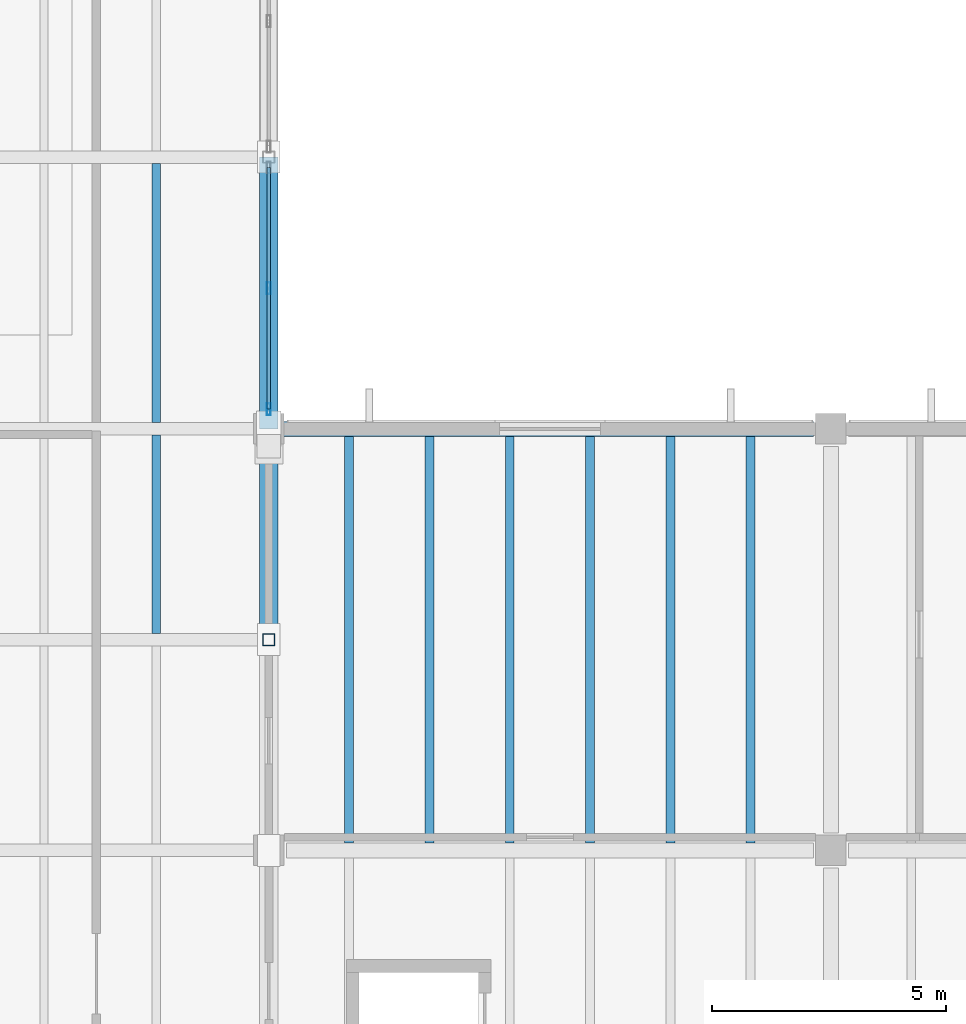
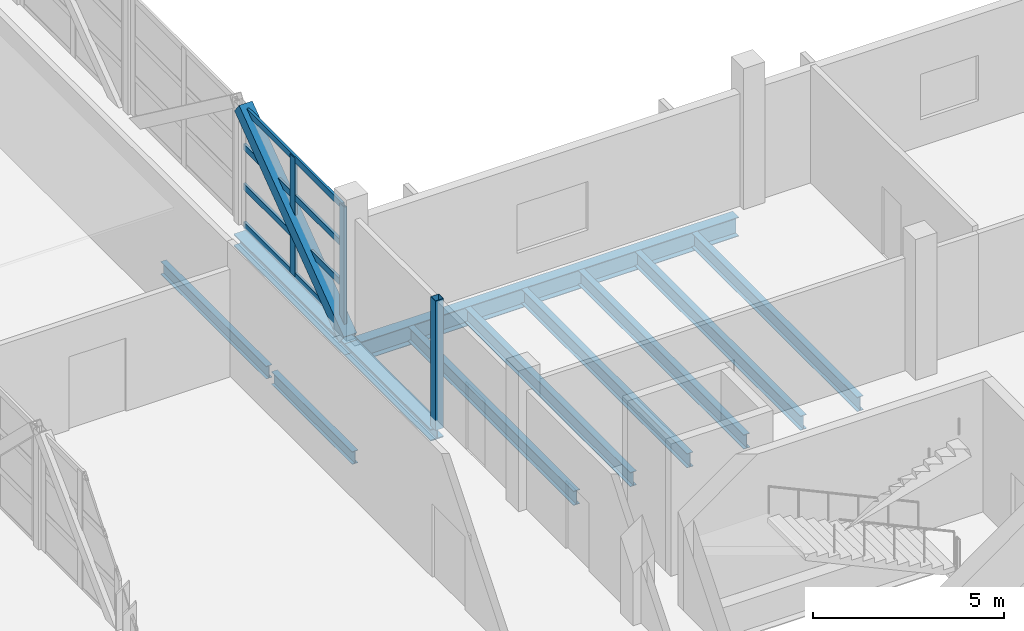
# One storey, part 30 of 63: 11 beams, 8 members, 1 element without a shape of its own.
"""IFC4 building model written with IfcOpenShell, lengths in metres."""

from ifc_helpers import new_model, si_unit, direction, frame, origin, origin_2d, place, context, subcontext, project, spatial, hollow_rectangle, i_section, extrude, material, material_profile, profile_set, type_object, element, aggregate, save


model = new_model("IFC4")

# Units and contexts
model_context = context("Model", 3, precision=1e-05, world=origin(), true_north=direction((0.0, 1.0)))
body_context = subcontext(model_context, "Body", "Model", "MODEL_VIEW")
ifc_project = project(units=[si_unit("LENGTHUNIT", "METRE"), si_unit("AREAUNIT", "SQUARE_METRE"), si_unit("VOLUMEUNIT", "CUBIC_METRE"), si_unit("PLANEANGLEUNIT", "RADIAN"), si_unit("MASSUNIT", "GRAM", prefix="KILO")], contexts=[model_context])

# Site, building, storey
site_placement = place(None, origin())
site = spatial("IfcSite", under=ifc_project, at=site_placement, CompositionType="ELEMENT")
building_placement = place(site_placement, origin())
building = spatial("IfcBuilding", under=site, at=building_placement, Name="Kelmvaro Bay Concert Hall", CompositionType="ELEMENT")
storey_placement = place(building_placement, frame((0.0, 0.0, 13.800048828125)))
storey = spatial("IfcBuildingStorey", under=building, at=storey_placement, Name="L03", CompositionType="ELEMENT", Elevation=13.800048828125)

# Beams
ifc_material_1 = material(Name="Steel ASTM A992 Grade 50", Category="steel")
ifc_material_profile_1 = material_profile(ifc_material_1, i_section(OverallWidth=0.177978515625, OverallDepth=0.406005859375, WebThickness=0.0078125, FlangeThickness=0.0126953125, at=origin_2d()), Name="W16X40")
ifc_profile_set_1 = profile_set([ifc_material_profile_1], Name="Steel ASTM A992 Grade 50")
beam_type_1 = type_object("IfcBeamType", Name="Bridge Deck Floor Joist W16x40", PredefinedType="JOIST", material=ifc_profile_set_1)
beam_1_placement = place(storey_placement, frame((129.60009765625, 34.633544921875, -0.532958984375), z_axis=(0.0, 1.0, 0.0), x_axis=(-1.0, 0.0, 0.0)))
element("IfcBeam", 1, at=beam_1_placement, inside=storey, type_object=beam_type_1, Name="Bridge Deck Joist L03-08", PredefinedType="JOIST", context=body_context, shape_type="SweptSolid", body=[
    extrude(i_section(OverallWidth=0.177978515625, OverallDepth=0.406005859375, WebThickness=0.0078125, FlangeThickness=0.0126953125, at=origin_2d()), origin(), (0.0, 0.0, 1.0), 4.23291015625),
])
beam_2_placement = place(storey_placement, frame((129.60009765625, 39.133544921875, -0.532958984375), z_axis=(0.0, 1.0, 0.0), x_axis=(-1.0, 0.0, 0.0)))
element("IfcBeam", 2, at=beam_2_placement, inside=storey, type_object=beam_type_1, Name="Bridge Deck Joist L03-09", PredefinedType="JOIST", context=body_context, shape_type="SweptSolid", body=[
    extrude(i_section(OverallWidth=0.177978515625, OverallDepth=0.406005859375, WebThickness=0.0078125, FlangeThickness=0.0126953125, at=origin_2d()), origin(), (0.0, 0.0, 1.0), 5.532958984375),
])

# Member
ifc_material_2 = material(Name="Steel ASTM A500 Grade C", Category="steel")
ifc_material_profile_2 = material_profile(ifc_material_2, hollow_rectangle(XDim=0.39990234375, YDim=0.39990234375, WallThickness=0.01611328125, at=origin_2d()), Name="HSS400X400X16")
ifc_profile_set_2 = profile_set([ifc_material_profile_2], Name="Steel ASTM A500 Grade C")
member_type_1 = type_object("IfcMemberType", Name="Bridge Heavy Web Diagonal HSS400x400x16", PredefinedType="BRACE", material=ifc_profile_set_2)
member_1_placement = place(storey_placement, frame((132.0, 39.1591796875, -0.295654296875), z_axis=(0.0, 0.802031459951, 0.597281790488), x_axis=(-1.0, 0.0, 0.0)))
element("IfcMember", 3, at=member_1_placement, inside=storey, type_object=member_type_1, Name="Bridge Truss E Web Diagonal 09", PredefinedType="BRACE", context=body_context, shape_type="SweptSolid", body=[
    extrude(hollow_rectangle(XDim=0.39990234375, YDim=0.39990234375, WallThickness=0.01611328125, at=origin_2d()), origin(), (0.0, 0.0, 1.0), 6.834716796875),
])

# Curtain wall, members
ifc_material_3 = material(Name="Anodised Aluminium and Low-E Insulated Glazing", Category="aluminium")
curtain_wall_type = type_object("IfcCurtainWallType", Name="Rehearsal Bridge Truss Curtain Wall 4020", PredefinedType="USERDEFINED", material=ifc_material_3)
curtain_wall_placement = place(storey_placement, origin())
curtain_wall = element("IfcCurtainWall", 4, at=curtain_wall_placement, inside=storey, type_object=curtain_wall_type, Name="Unitised Curtain Wall CW-BRG-E09", ObjectType="UNITISED GLAZING", PredefinedType="USERDEFINED")
ifc_material_4 = material(Name="Anodised Extruded Aluminium 6063-T6", Category="aluminium")
ifc_material_profile_3 = material_profile(ifc_material_4, hollow_rectangle(XDim=0.080078125, YDim=0.25, WallThickness=0.005615234375, at=origin_2d()), Name="ALU-MUL-250X80")
ifc_profile_set_3 = profile_set([ifc_material_profile_3], Name="Anodised Extruded Aluminium 6063-T6")
member_type_2 = type_object("IfcMemberType", Name="Bridge Hurricane Mullion ALU 250x80", PredefinedType="MULLION", material=ifc_profile_set_3)
member_2_placement = place(storey_placement, frame((132.0, 42.0, 0.0), z_axis=(0.0, 0.0, 1.0), x_axis=(1.0, 0.0, 0.0)))
member_2 = element("IfcMember", 5, at=member_2_placement, type_object=member_type_2, Name="CW-BRG-E09 Mullion 02", PredefinedType="MULLION", context=body_context, shape_type="SweptSolid", body=[
    extrude(hollow_rectangle(XDim=0.080078125, YDim=0.25, WallThickness=0.005615234375, at=origin_2d()), origin(), (0.0, 0.0, 1.0), 3.800048828125),
])
member_3_placement = place(storey_placement, frame((132.0, 39.419921875, 0.0), z_axis=(0.0, 0.0, 1.0), x_axis=(1.0, 0.0, 0.0)))
member_3 = element("IfcMember", 6, at=member_3_placement, type_object=member_type_2, Name="CW-BRG-E09 Mullion 03", PredefinedType="MULLION", context=body_context, shape_type="SweptSolid", body=[
    extrude(hollow_rectangle(XDim=0.080078125, YDim=0.25, WallThickness=0.005615234375, at=origin_2d()), origin(), (0.0, 0.0, 1.0), 3.800048828125),
])
ifc_material_5 = material(Name="Anodised Extruded Aluminium 6063-T6", Category="aluminium")
ifc_material_profile_4 = material_profile(ifc_material_5, hollow_rectangle(XDim=0.074951171875, YDim=0.199951171875, WallThickness=0.0048828125, at=origin_2d()), Name="ALU-TRN-200X75")
ifc_profile_set_4 = profile_set([ifc_material_profile_4], Name="Anodised Extruded Aluminium 6063-T6")
member_type_3 = type_object("IfcMemberType", Name="Bridge Hurricane Transom ALU 200x75", PredefinedType="USERDEFINED", material=ifc_profile_set_4)
member_4_placement = place(storey_placement, frame((132.0, 44.580078125, 0.0400390625), z_axis=(0.0, -1.0, 0.0), x_axis=(1.0, 0.0, 0.0)))
member_4 = element("IfcMember", 7, at=member_4_placement, type_object=member_type_3, Name="CW-BRG-E09 Transom 01", ObjectType="TRANSOM", PredefinedType="USERDEFINED", context=body_context, shape_type="SweptSolid", body=[
    extrude(hollow_rectangle(XDim=0.074951171875, YDim=0.199951171875, WallThickness=0.0048828125, at=origin_2d()), origin(), (0.0, 0.0, 1.0), 5.16015625),
])
member_5_placement = place(storey_placement, frame((132.0, 44.580078125, 1.2666015625), z_axis=(0.0, -1.0, 0.0), x_axis=(1.0, 0.0, 0.0)))
member_5 = element("IfcMember", 8, at=member_5_placement, type_object=member_type_3, Name="CW-BRG-E09 Transom 02", ObjectType="TRANSOM", PredefinedType="USERDEFINED", context=body_context, shape_type="SweptSolid", body=[
    extrude(hollow_rectangle(XDim=0.074951171875, YDim=0.199951171875, WallThickness=0.0048828125, at=origin_2d()), origin(), (0.0, 0.0, 1.0), 5.16015625),
])
member_6_placement = place(storey_placement, frame((132.0, 44.580078125, 2.533203125), z_axis=(0.0, -1.0, 0.0), x_axis=(1.0, 0.0, 0.0)))
member_6 = element("IfcMember", 9, at=member_6_placement, type_object=member_type_3, Name="CW-BRG-E09 Transom 03", ObjectType="TRANSOM", PredefinedType="USERDEFINED", context=body_context, shape_type="SweptSolid", body=[
    extrude(hollow_rectangle(XDim=0.074951171875, YDim=0.199951171875, WallThickness=0.0048828125, at=origin_2d()), origin(), (0.0, 0.0, 1.0), 5.16015625),
])
member_7_placement = place(storey_placement, frame((132.0, 44.580078125, 3.760009765625), z_axis=(0.0, -1.0, 0.0), x_axis=(1.0, 0.0, 0.0)))
member_7 = element("IfcMember", 10, at=member_7_placement, type_object=member_type_3, Name="CW-BRG-E09 Transom 04", ObjectType="TRANSOM", PredefinedType="USERDEFINED", context=body_context, shape_type="SweptSolid", body=[
    extrude(hollow_rectangle(XDim=0.074951171875, YDim=0.199951171875, WallThickness=0.0048828125, at=origin_2d()), origin(), (0.0, 0.0, 1.0), 5.16015625),
])
aggregate(curtain_wall, [member_2, member_3, member_4, member_5, member_6, member_7])

# Beams
ifc_material_6 = material(Name="Steel ASTM A992 Grade 50", Category="steel")
ifc_material_profile_5 = material_profile(ifc_material_6, i_section(OverallWidth=0.39892578125, OverallDepth=0.385986328125, WebThickness=0.02099609375, FlangeThickness=0.033203125, at=origin_2d()), Name="W14X176")
ifc_profile_set_5 = profile_set([ifc_material_profile_5], Name="Steel ASTM A992 Grade 50")
beam_type_2 = type_object("IfcBeamType", Name="Bridge Truss Bottom Chord W14x176", PredefinedType="BEAM", material=ifc_profile_set_5)
beam_3_placement = place(storey_placement, frame((132.0, 34.5, -0.52294921875), z_axis=(0.0, 1.0, 0.0), x_axis=(-1.0, 0.0, 0.0)))
element("IfcBeam", 11, at=beam_3_placement, inside=storey, type_object=beam_type_2, Name="Bridge Truss E Bottom Chord 08", PredefinedType="BEAM", context=body_context, shape_type="SweptSolid", body=[
    extrude(i_section(OverallWidth=0.39892578125, OverallDepth=0.385986328125, WebThickness=0.02099609375, FlangeThickness=0.033203125, at=origin_2d()), origin(), (0.0, 0.0, 1.0), 4.5),
])
beam_4_placement = place(storey_placement, frame((132.0, 39.0, -0.52294921875), z_axis=(0.0, 1.0, 0.0), x_axis=(-1.0, 0.0, 0.0)))
element("IfcBeam", 12, at=beam_4_placement, inside=storey, type_object=beam_type_2, Name="Bridge Truss E Bottom Chord 09", PredefinedType="BEAM", context=body_context, shape_type="SweptSolid", body=[
    extrude(i_section(OverallWidth=0.39892578125, OverallDepth=0.385986328125, WebThickness=0.02099609375, FlangeThickness=0.033203125, at=origin_2d()), origin(), (0.0, 0.0, 1.0), 5.800048828125),
])

# Member
ifc_material_7 = material(Name="Steel ASTM A500 Grade C", Category="steel")
ifc_material_profile_6 = material_profile(ifc_material_7, hollow_rectangle(XDim=0.25, YDim=0.25, WallThickness=0.010009765625, at=origin_2d()), Name="HSS250X250X10")
ifc_profile_set_6 = profile_set([ifc_material_profile_6], Name="Steel ASTM A500 Grade C")
member_type_4 = type_object("IfcMemberType", Name="Bridge Truss Vertical Post HSS250x250x10", PredefinedType="STRUT", material=ifc_profile_set_6)
member_8_placement = place(storey_placement, frame((132.0, 34.5, -0.322021484375), z_axis=(0.0, 0.0, 1.0), x_axis=(1.0, 0.0, 0.0)))
element("IfcMember", 13, at=member_8_placement, inside=storey, type_object=member_type_4, Name="Bridge Truss E Vertical Post 08", PredefinedType="STRUT", context=body_context, shape_type="SweptSolid", body=[
    extrude(hollow_rectangle(XDim=0.25, YDim=0.25, WallThickness=0.010009765625, at=origin_2d()), origin(), (0.0, 0.0, 1.0), 4.135009765625),
])

# Beams
ifc_material_8 = material(Name="Steel ASTM A992 Grade 50", Category="steel")
ifc_material_profile_7 = material_profile(ifc_material_8, i_section(OverallWidth=0.323974609375, OverallDepth=0.611083984375, WebThickness=0.0126953125, FlangeThickness=0.01904296875, at=origin_2d()), Name="W24X104")
ifc_profile_set_7 = profile_set([ifc_material_profile_7], Name="Steel ASTM A992 Grade 50")
beam_type_3 = type_object("IfcBeamType", Name="Foyer Frame Girder W24x104", PredefinedType="BEAM", material=ifc_profile_set_7)
beam_5_placement = place(storey_placement, frame((132.200439453125, 39.0, -0.62548828125), z_axis=(1.0, 0.0, 0.0), x_axis=(0.0, 1.0, 0.0)))
element("IfcBeam", 14, at=beam_5_placement, inside=storey, type_object=beam_type_3, Name="L03 Girder BM-L03-EW-1367", PredefinedType="BEAM", context=body_context, shape_type="SweptSolid", body=[
    extrude(i_section(OverallWidth=0.323974609375, OverallDepth=0.611083984375, WebThickness=0.0126953125, FlangeThickness=0.01904296875, at=origin_2d()), origin(), (0.0, 0.0, 1.0), 11.424560546875),
])
ifc_material_9 = material(Name="Steel ASTM A992 Grade 50", Category="steel")
ifc_material_profile_8 = material_profile(ifc_material_9, i_section(OverallWidth=0.19091796875, OverallDepth=0.45703125, WebThickness=0.009033203125, FlangeThickness=0.014404296875, at=origin_2d()), Name="W18X50")
ifc_profile_set_8 = profile_set([ifc_material_profile_8], Name="Steel ASTM A992 Grade 50")
beam_type_4 = type_object("IfcBeamType", Name="Standard Composite Floor Joist W18x50", PredefinedType="JOIST", material=ifc_profile_set_8)
for number, where, z_axis, x_axis, name in (
    (15, (133.71435546875, 30.162109375, -0.548583984375), (0.0, 1.0, 0.0), (-1.0, 0.0, 0.0), "L03 Floor Joist JST-L03-1573"),
    (16, (135.4287109375, 30.162109375, -0.548583984375), (0.0, 1.0, 0.0), (-1.0, 0.0, 0.0), "L03 Floor Joist JST-L03-1574"),
    (17, (137.142822265625, 30.162109375, -0.548583984375), (0.0, 1.0, 0.0), (-1.0, 0.0, 0.0), "L03 Floor Joist JST-L03-1575"),
    (18, (138.857177734375, 30.162109375, -0.548583984375), (0.0, 1.0, 0.0), (-1.0, 0.0, 0.0), "L03 Floor Joist JST-L03-1576"),
    (19, (140.5712890625, 30.162109375, -0.548583984375), (0.0, 1.0, 0.0), (-1.0, 0.0, 0.0), "L03 Floor Joist JST-L03-1577"),
    (20, (142.28564453125, 30.162109375, -0.548583984375), (0.0, 1.0, 0.0), (-1.0, 0.0, 0.0), "L03 Floor Joist JST-L03-1578"),
):
    element("IfcBeam", number, at=place(storey_placement, frame(where, z_axis=z_axis, x_axis=x_axis)), inside=storey, type_object=beam_type_4, Name=name, PredefinedType="JOIST", context=body_context, shape_type="SweptSolid", body=[
        extrude(i_section(OverallWidth=0.19091796875, OverallDepth=0.45703125, WebThickness=0.009033203125, FlangeThickness=0.014404296875, at=origin_2d()), origin(), (0.0, 0.0, 1.0), 8.67578125),
    ])

save(model, "model.ifc")
